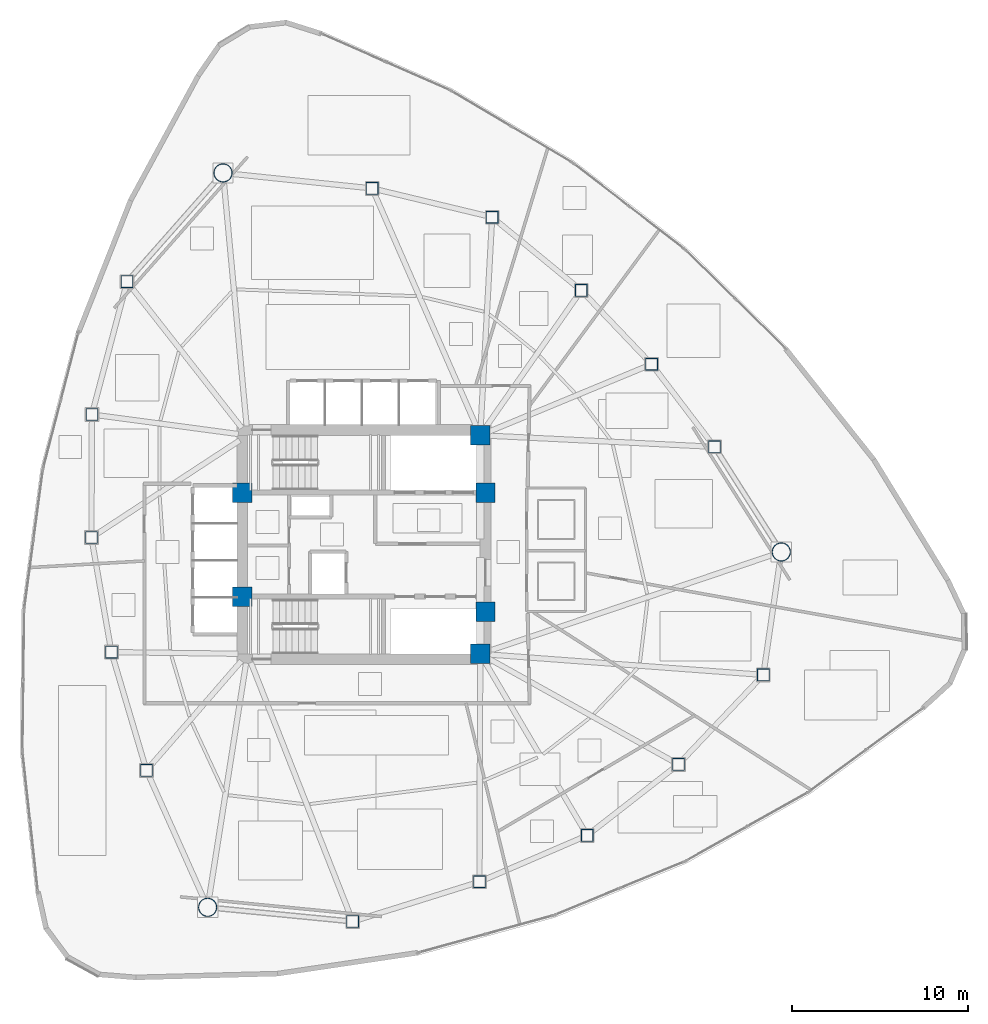
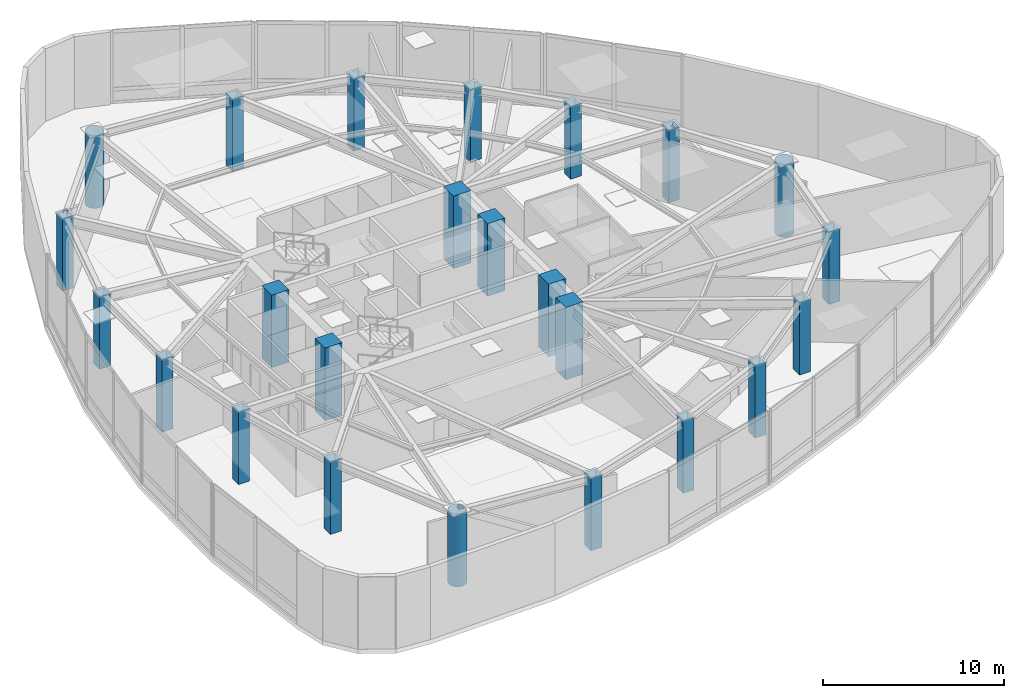
# One storey, part 1 of 14: 24 columns.
"""IFC4 building model written with IfcOpenShell, lengths in metres."""

from ifc_helpers import new_model, si_unit, direction, frame, origin, origin_2d, place, context, subcontext, project, spatial, rectangle, hollow_rectangle, hollow_circle, extrude, material, material_profile, profile_set, type_object, element, save


model = new_model("IFC4")

# Units and contexts
model_context = context("Model", 3, precision=1e-05, world=origin(), true_north=direction((0.0, 1.0)))
body_context = subcontext(model_context, "Body", "Model", "MODEL_VIEW")
ifc_project = project(units=[si_unit("LENGTHUNIT", "METRE"), si_unit("AREAUNIT", "SQUARE_METRE"), si_unit("VOLUMEUNIT", "CUBIC_METRE"), si_unit("PLANEANGLEUNIT", "RADIAN"), si_unit("MASSUNIT", "GRAM", prefix="KILO")], contexts=[model_context])

# Site, building, storey
site_placement = place(None, origin())
site = spatial("IfcSite", under=ifc_project, at=site_placement, CompositionType="ELEMENT")
building_placement = place(site_placement, origin())
building = spatial("IfcBuilding", under=site, at=building_placement, Name="Tavelor Broadcast Tower", CompositionType="ELEMENT")
storey_placement = place(building_placement, frame((0.0, 0.0, 110.39990234375)))
storey = spatial("IfcBuildingStorey", under=building, at=storey_placement, Name="L25", CompositionType="ELEMENT", Elevation=110.39990234375)

# Columns
ifc_material_1 = material(Name="Concrete C60/75", Category="concrete")
ifc_material_profile_1 = material_profile(ifc_material_1, rectangle(XDim=1.10009765625, YDim=1.10009765625, at=origin_2d()), Name="RC 1100x1100")
ifc_profile_set_1 = profile_set([ifc_material_profile_1], Name="Concrete C60/75")
column_type_1 = type_object("IfcColumnType", Name="Core Embedded Composite Column RC1100", PredefinedType="COLUMN", material=ifc_profile_set_1)
for number, where, z_axis, x_axis, name in (
    (1, (43.10009765625, 47.949951171875, 0.0), (0.0, 0.0, 1.0), (1.0, 0.0, 0.0), "L25 Core Embedded Column 1"),
    (2, (56.89990234375, 47.949951171875, 0.0), (0.0, 0.0, 1.0), (1.0, 0.0, 0.0), "L25 Core Embedded Column 2"),
    (3, (56.60009765625, 51.199951171875, 0.0), (0.0, 0.0, 1.0), (1.0, 0.0, 0.0), "L25 Core Embedded Column 3"),
    (4, (43.10009765625, 42.050048828125, 0.0), (0.0, 0.0, 1.0), (1.0, 0.0, 0.0), "L25 Core Embedded Column 4"),
    (5, (56.89990234375, 41.199951171875, 0.0), (0.0, 0.0, 1.0), (1.0, 0.0, 0.0), "L25 Core Embedded Column 5"),
    (6, (56.60009765625, 38.800048828125, 0.0), (0.0, 0.0, 1.0), (1.0, 0.0, 0.0), "L25 Core Embedded Column 6"),
):
    element("IfcColumn", number, at=place(storey_placement, frame(where, z_axis=z_axis, x_axis=x_axis)), inside=storey, type_object=column_type_1, Name=name, PredefinedType="COLUMN", context=body_context, shape_type="SweptSolid", body=[
        extrude(rectangle(XDim=1.10009765625, YDim=1.10009765625, at=origin_2d()), origin(), (0.0, 0.0, 1.0), 4.900146484375),
    ])
ifc_material_2 = material(Name="Steel S460", Category="steel")
ifc_material_profile_2 = material_profile(ifc_material_2, hollow_rectangle(XDim=0.699951171875, YDim=0.699951171875, WallThickness=0.0400390625, at=origin_2d()), Name="SHS 700x700x40")
ifc_profile_set_2 = profile_set([ifc_material_profile_2], Name="Steel S460")
column_type_2 = type_object("IfcColumnType", Name="Perimeter Tube Column T3 SHS 700x700x40", PredefinedType="COLUMN", material=ifc_profile_set_2)
for number, where, z_axis, x_axis, name in (
    (7, (36.567626953125, 59.91064453125, 0.0), (0.0, 0.0, 1.0), (1.0, 0.0, 0.0), "L25 Perimeter Framed-Tube Column 02"),
    (8, (34.5751953125, 52.37939453125, 0.0), (0.0, 0.0, 1.0), (1.0, 0.0, 0.0), "L25 Perimeter Framed-Tube Column 03"),
    (9, (34.54638671875, 45.399169921875, 0.0), (0.0, 0.0, 1.0), (1.0, 0.0, 0.0), "L25 Perimeter Framed-Tube Column 04"),
    (10, (35.680908203125, 38.89990234375, 0.0), (0.0, 0.0, 1.0), (1.0, 0.0, 0.0), "L25 Perimeter Framed-Tube Column 05"),
    (11, (37.668212890625, 32.1904296875, 0.0), (0.0, 0.0, 1.0), (1.0, 0.0, 0.0), "L25 Perimeter Framed-Tube Column 06"),
    (12, (49.366455078125, 23.618896484375, 0.0), (0.0, 0.0, 1.0), (1.0, 0.0, 0.0), "L25 Perimeter Framed-Tube Column 08"),
    (13, (56.56103515625, 25.872802734375, 0.0), (0.0, 0.0, 1.0), (1.0, 0.0, 0.0), "L25 Perimeter Framed-Tube Column 09"),
    (14, (62.669189453125, 28.503173828125, 0.0), (0.0, 0.0, 1.0), (1.0, 0.0, 0.0), "L25 Perimeter Framed-Tube Column 10"),
    (15, (67.84228515625, 32.53173828125, 0.0), (0.0, 0.0, 1.0), (1.0, 0.0, 0.0), "L25 Perimeter Framed-Tube Column 11"),
    (16, (72.6591796875, 37.607421875, 0.0), (0.0, 0.0, 1.0), (1.0, 0.0, 0.0), "L25 Perimeter Framed-Tube Column 12"),
    (17, (69.885986328125, 50.544189453125, 0.0), (0.0, 0.0, 1.0), (1.0, 0.0, 0.0), "L25 Perimeter Framed-Tube Column 14"),
    (18, (66.322021484375, 55.228759765625, 0.0), (0.0, 0.0, 1.0), (1.0, 0.0, 0.0), "L25 Perimeter Framed-Tube Column 15"),
    (19, (62.330810546875, 59.416259765625, 0.0), (0.0, 0.0, 1.0), (1.0, 0.0, 0.0), "L25 Perimeter Framed-Tube Column 16"),
    (20, (57.276611328125, 63.568359375, 0.0), (0.0, 0.0, 1.0), (1.0, 0.0, 0.0), "L25 Perimeter Framed-Tube Column 17"),
    (21, (50.472412109375, 65.2021484375, 0.0), (0.0, 0.0, 1.0), (1.0, 0.0, 0.0), "L25 Perimeter Framed-Tube Column 18"),
):
    element("IfcColumn", number, at=place(storey_placement, frame(where, z_axis=z_axis, x_axis=x_axis)), inside=storey, type_object=column_type_2, Name=name, PredefinedType="COLUMN", context=body_context, shape_type="SweptSolid", body=[
        extrude(hollow_rectangle(XDim=0.699951171875, YDim=0.699951171875, WallThickness=0.0400390625, at=origin_2d()), origin(), (0.0, 0.0, 1.0), 4.900146484375),
    ])
ifc_material_profile_3 = material_profile(ifc_material_2, hollow_circle(Radius=0.533447265625, WallThickness=0.044921875, at=origin_2d()), Name="CHS 1067x45")
ifc_profile_set_3 = profile_set([ifc_material_profile_3], Name="Steel S460")
column_type_3 = type_object("IfcColumnType", Name="Tower Mega Column T3 CHS 1067x45", PredefinedType="COLUMN", material=ifc_profile_set_3)
for number, where, z_axis, x_axis, name in (
    (22, (42.01123046875, 66.080078125, 0.0), (0.0, 0.0, 1.0), (1.0, 0.0, 0.0), "L25 Tower Corner Mega Column 01"),
    (23, (41.138671875, 24.423828125, 0.0), (0.0, 0.0, 1.0), (1.0, 0.0, 0.0), "L25 Tower Corner Mega Column 07"),
    (24, (73.676025390625, 44.57958984375, 0.0), (0.0, 0.0, 1.0), (1.0, 0.0, 0.0), "L25 Tower Corner Mega Column 13"),
):
    element("IfcColumn", number, at=place(storey_placement, frame(where, z_axis=z_axis, x_axis=x_axis)), inside=storey, type_object=column_type_3, Name=name, PredefinedType="COLUMN", context=body_context, shape_type="SweptSolid", body=[
        extrude(hollow_circle(Radius=0.533447265625, WallThickness=0.044921875, at=origin_2d()), origin(), (0.0, 0.0, 1.0), 4.900146484375),
    ])

save(model, "model.ifc")
